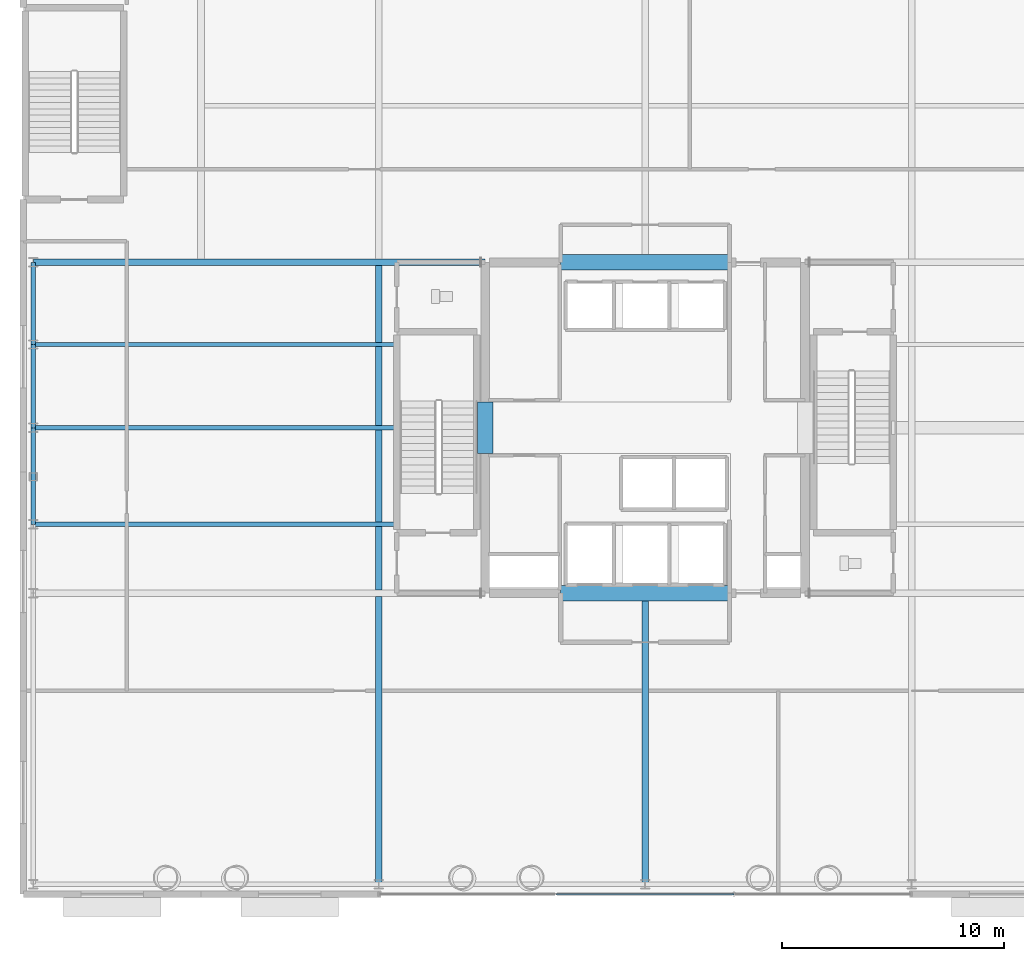
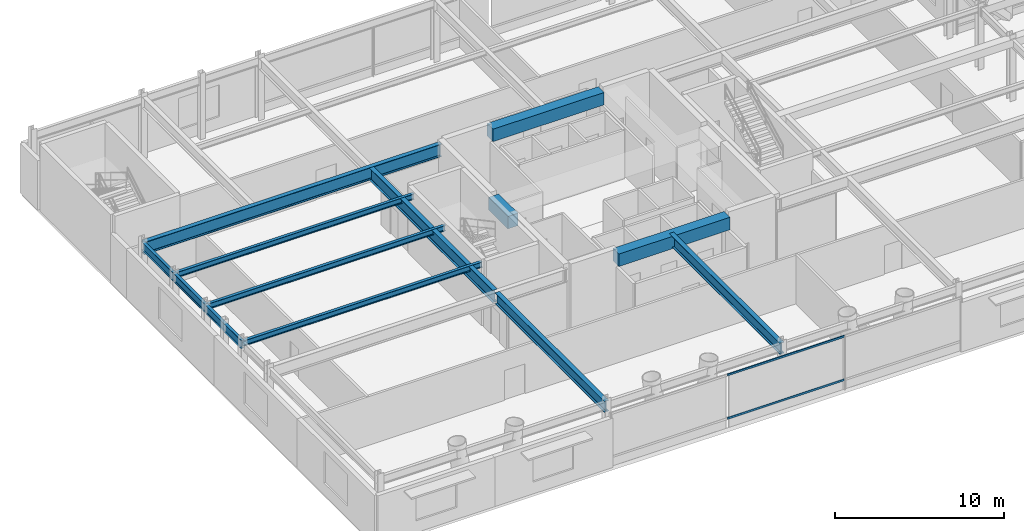
# One storey, part 7 of 26: 13 beams, 2 members, 1 element without a shape of its own.
"""IFC4 building model written with IfcOpenShell, lengths in metres."""

from ifc_helpers import new_model, si_unit, direction, frame, origin, origin_2d, place, context, subcontext, project, spatial, rectangle, hollow_rectangle, i_section, extrude, material, layer, layer_set, material_profile, profile_set, type_object, element, aggregate, save


model = new_model("IFC4")

# Units and contexts
model_context = context("Model", 3, precision=1e-05, world=origin(), true_north=direction((0.0, 1.0)))
body_context = subcontext(model_context, "Body", "Model", "MODEL_VIEW")
ifc_project = project(units=[si_unit("LENGTHUNIT", "METRE"), si_unit("AREAUNIT", "SQUARE_METRE"), si_unit("VOLUMEUNIT", "CUBIC_METRE"), si_unit("PLANEANGLEUNIT", "RADIAN"), si_unit("MASSUNIT", "GRAM", prefix="KILO")], contexts=[model_context])

# Site, building, storey
site_placement = place(None, origin())
site = spatial("IfcSite", under=ifc_project, at=site_placement, CompositionType="ELEMENT")
building_placement = place(site_placement, origin())
building = spatial("IfcBuilding", under=site, at=building_placement, Name="Veldorina Hangang Commons", CompositionType="ELEMENT")
storey_placement = place(building_placement, frame((0.0, 0.0, 5.199951171875)))
storey = spatial("IfcBuildingStorey", under=building, at=storey_placement, Name="L01", CompositionType="ELEMENT", Elevation=5.199951171875)

# Beams
ifc_material_1 = material(Name="Concrete C70/85", Category="concrete")
ifc_material_profile_1 = material_profile(ifc_material_1, rectangle(XDim=0.699951171875, YDim=0.89990234375, at=origin_2d()), Name="RC-CB-700x900")
ifc_profile_set_1 = profile_set([ifc_material_profile_1], Name="Concrete C70/85")
beam_type_1 = type_object("IfcBeamType", Name="BM-CB900", PredefinedType="LINTEL", material=ifc_profile_set_1)
beam_1_placement = place(storey_placement, frame((24.800048828125, 22.85009765625, 4.050048828125), z_axis=(0.0, 1.0, 0.0), x_axis=(-1.0, 0.0, 0.0)))
element("IfcBeam", 1, at=beam_1_placement, inside=storey, type_object=beam_type_1, Name="L01 W core coupling lintel beam", PredefinedType="LINTEL", context=body_context, shape_type="SweptSolid", body=[
    extrude(rectangle(XDim=0.699951171875, YDim=0.89990234375, at=origin_2d()), origin(), (0.0, 0.0, 1.0), 2.2998046875),
])
for number, where, z_axis, x_axis, name in (
    (2, (28.199951171875, 16.550048828125, 4.050048828125), (1.0, 0.0, 0.0), (0.0, 1.0, 0.0), "L01 south core coupling beam"),
    (3, (28.199951171875, 31.449951171875, 4.050048828125), (1.0, 0.0, 0.0), (0.0, 1.0, 0.0), "L01 north core coupling beam"),
):
    element("IfcBeam", number, at=place(storey_placement, frame(where, z_axis=z_axis, x_axis=x_axis)), inside=storey, type_object=beam_type_1, Name=name, PredefinedType="LINTEL", context=body_context, shape_type="SweptSolid", body=[
        extrude(rectangle(XDim=0.699951171875, YDim=0.89990234375, at=origin_2d()), origin(), (0.0, 0.0, 1.0), 7.60009765625),
    ])
ifc_material_2 = material(Name="Steel SM355-TMC", Category="steel")
ifc_material_profile_2 = material_profile(ifc_material_2, i_section(OverallWidth=0.199951171875, OverallDepth=0.39990234375, WebThickness=0.008056640625, FlangeThickness=0.012939453125, FilletRadius=0.012939453125, at=origin_2d()), Name="H-400x200x8x13")
ifc_profile_set_2 = profile_set([ifc_material_profile_2], Name="Steel SM355-TMC")
beam_type_2 = type_object("IfcBeamType", Name="BM-JST400", PredefinedType="JOIST", material=ifc_profile_set_2)
for number, where, z_axis, x_axis, name in (
    (4, (4.449951171875, 19.64990234375, 4.300048828125), (1.0, 0.0, 0.0), (0.0, 1.0, 0.0), "L01 west floor joist 1"),
    (5, (4.449951171875, 24.0, 4.300048828125), (1.0, 0.0, 0.0), (0.0, 1.0, 0.0), "L01 west floor joist 2"),
    (6, (4.449951171875, 27.75, 4.300048828125), (1.0, 0.0, 0.0), (0.0, 1.0, 0.0), "L01 west floor joist 3"),
):
    element("IfcBeam", number, at=place(storey_placement, frame(where, z_axis=z_axis, x_axis=x_axis)), inside=storey, type_object=beam_type_2, Name=name, PredefinedType="JOIST", context=body_context, shape_type="SweptSolid", body=[
        extrude(i_section(OverallWidth=0.199951171875, OverallDepth=0.39990234375, WebThickness=0.008056640625, FlangeThickness=0.012939453125, FilletRadius=0.012939453125, at=origin_2d()), origin(), (0.0, 0.0, 1.0), 16.3701171875),
    ])
ifc_material_3 = material(Name="Steel SM460-TMC", Category="steel")
ifc_material_profile_3 = material_profile(ifc_material_3, i_section(OverallWidth=0.300048828125, OverallDepth=0.800048828125, WebThickness=0.013916015625, FlangeThickness=0.02587890625, FilletRadius=0.02197265625, at=origin_2d()), Name="H-800x300x14x26")
ifc_profile_set_3 = profile_set([ifc_material_profile_3], Name="Steel SM460-TMC")
beam_type_3 = type_object("IfcBeamType", Name="BM-PG800", PredefinedType="BEAM", material=ifc_profile_set_3)
beam_2_placement = place(storey_placement, frame((20.0, 3.449951171875, 4.10009765625), z_axis=(0.0, 1.0, 0.0), x_axis=(-1.0, 0.0, 0.0)))
element("IfcBeam", 7, at=beam_2_placement, inside=storey, type_object=beam_type_3, Name="L01 south primary girder G3", PredefinedType="BEAM", context=body_context, shape_type="SweptSolid", body=[
    extrude(i_section(OverallWidth=0.300048828125, OverallDepth=0.800048828125, WebThickness=0.013916015625, FlangeThickness=0.02587890625, FilletRadius=0.02197265625, at=origin_2d()), origin(), (0.0, 0.0, 1.0), 12.9599609375),
])
beam_3_placement = place(storey_placement, frame((32.0, 3.449951171875, 4.10009765625), z_axis=(0.0, 1.0, 0.0), x_axis=(-1.0, 0.0, 0.0)))
element("IfcBeam", 8, at=beam_3_placement, inside=storey, type_object=beam_type_3, Name="L01 south primary girder G5", PredefinedType="BEAM", context=body_context, shape_type="SweptSolid", body=[
    extrude(i_section(OverallWidth=0.300048828125, OverallDepth=0.800048828125, WebThickness=0.013916015625, FlangeThickness=0.02587890625, FilletRadius=0.02197265625, at=origin_2d()), origin(), (0.0, 0.0, 1.0), 13.10009765625),
])
ifc_material_profile_4 = material_profile(ifc_material_3, i_section(OverallWidth=0.300048828125, OverallDepth=0.89990234375, WebThickness=0.01611328125, FlangeThickness=0.028076171875, FilletRadius=0.02197265625, at=origin_2d()), Name="H-900x300x16x28")
ifc_profile_set_4 = profile_set([ifc_material_profile_4], Name="Steel SM460-TMC")
beam_type_4 = type_object("IfcBeamType", Name="BM-PG900", PredefinedType="BEAM", material=ifc_profile_set_4)
beam_4_placement = place(storey_placement, frame((4.449951171875, 31.449951171875, 4.050048828125), z_axis=(1.0, 0.0, 0.0), x_axis=(0.0, 1.0, 0.0)))
element("IfcBeam", 9, at=beam_4_placement, inside=storey, type_object=beam_type_4, Name="L01 west collector girder GF", PredefinedType="BEAM", context=body_context, shape_type="SweptSolid", body=[
    extrude(i_section(OverallWidth=0.300048828125, OverallDepth=0.89990234375, WebThickness=0.01611328125, FlangeThickness=0.028076171875, FilletRadius=0.02197265625, at=origin_2d()), origin(), (0.0, 0.0, 1.0), 20.35009765625),
])
beam_5_placement = place(storey_placement, frame((20.0, 16.68994140625, 4.050048828125), z_axis=(0.0, 1.0, 0.0), x_axis=(-1.0, 0.0, 0.0)))
element("IfcBeam", 10, at=beam_5_placement, inside=storey, type_object=beam_type_4, Name="L01 mid primary girder G3", PredefinedType="BEAM", context=body_context, shape_type="SweptSolid", body=[
    extrude(i_section(OverallWidth=0.300048828125, OverallDepth=0.89990234375, WebThickness=0.01611328125, FlangeThickness=0.028076171875, FilletRadius=0.02197265625, at=origin_2d()), origin(), (0.0, 0.0, 1.0), 14.6201171875),
])
ifc_material_4 = material(Name="Steel SM420-TMC", Category="steel")
ifc_material_profile_5 = material_profile(ifc_material_4, i_section(OverallWidth=0.199951171875, OverallDepth=0.60009765625, WebThickness=0.010986328125, FlangeThickness=0.01708984375, FilletRadius=0.01806640625, at=origin_2d()), Name="H-600x200x11x17")
ifc_profile_set_5 = profile_set([ifc_material_profile_5], Name="Steel SM420-TMC")
beam_type_5 = type_object("IfcBeamType", Name="BM-SPN600", PredefinedType="SPANDREL", material=ifc_profile_set_5)
beam_6_placement = place(storey_placement, frame((4.449951171875, 19.64990234375, 4.199951171875), z_axis=(0.0, 1.0, 0.0), x_axis=(-1.0, 0.0, 0.0)))
element("IfcBeam", 11, at=beam_6_placement, inside=storey, type_object=beam_type_5, Name="L01 west spandrel beam 3", PredefinedType="SPANDREL", context=body_context, shape_type="SweptSolid", body=[
    extrude(i_section(OverallWidth=0.199951171875, OverallDepth=0.60009765625, WebThickness=0.010986328125, FlangeThickness=0.01708984375, FilletRadius=0.01806640625, at=origin_2d()), origin(), (0.0, 0.0, 1.0), 4.35009765625),
])
beam_7_placement = place(storey_placement, frame((4.449951171875, 24.0, 4.199951171875), z_axis=(0.0, 1.0, 0.0), x_axis=(-1.0, 0.0, 0.0)))
element("IfcBeam", 12, at=beam_7_placement, inside=storey, type_object=beam_type_5, Name="L01 west spandrel beam 4", PredefinedType="SPANDREL", context=body_context, shape_type="SweptSolid", body=[
    extrude(i_section(OverallWidth=0.199951171875, OverallDepth=0.60009765625, WebThickness=0.010986328125, FlangeThickness=0.01708984375, FilletRadius=0.01806640625, at=origin_2d()), origin(), (0.0, 0.0, 1.0), 3.75),
])
beam_8_placement = place(storey_placement, frame((4.449951171875, 27.75, 4.199951171875), z_axis=(0.0, 1.0, 0.0), x_axis=(-1.0, 0.0, 0.0)))
element("IfcBeam", 13, at=beam_8_placement, inside=storey, type_object=beam_type_5, Name="L01 west spandrel beam 5", PredefinedType="SPANDREL", context=body_context, shape_type="SweptSolid", body=[
    extrude(i_section(OverallWidth=0.199951171875, OverallDepth=0.60009765625, WebThickness=0.010986328125, FlangeThickness=0.01708984375, FilletRadius=0.01806640625, at=origin_2d()), origin(), (0.0, 0.0, 1.0), 3.699951171875),
])

# Curtain wall, members
ifc_material_5 = material(Name="Glass Low-E Triple IGU", Category="glass")
ifc_layer = layer(ifc_material_5, 0.179931640625)
ifc_layer_set = layer_set([ifc_layer], Name="Glass Low-E Triple IGU")
curtain_wall_type = type_object("IfcCurtainWallType", Name="CW-SYS-POD", PredefinedType="NOTDEFINED", material=ifc_layer_set)
curtain_wall_placement = place(storey_placement, origin())
curtain_wall = element("IfcCurtainWall", 14, at=curtain_wall_placement, inside=storey, type_object=curtain_wall_type, Name="L01 unitised curtain wall CW-L01-S-CTR", PredefinedType="NOTDEFINED")
ifc_material_6 = material(Name="Aluminium Anodized AA6063-T6", Category="aluminium")
ifc_material_profile_6 = material_profile(ifc_material_6, hollow_rectangle(XDim=0.06005859375, YDim=0.139892578125, WallThickness=0.00341796875, at=origin_2d()), Name="ALU-RHS-140x60x3.5")
ifc_profile_set_6 = profile_set([ifc_material_profile_6], Name="Aluminium Anodized AA6063-T6")
member_type = type_object("IfcMemberType", Name="CW-TRN-140", PredefinedType="USERDEFINED", material=ifc_profile_set_6)
member_1_placement = place(storey_placement, frame((28.0, 3.0, 0.699951171875), z_axis=(1.0, 0.0, 0.0), x_axis=(0.0, 1.0, 0.0)))
member_1 = element("IfcMember", 15, at=member_1_placement, type_object=member_type, Name="CW-L01-S-CTR facet 2 transom 1", ObjectType="TRANSOM", PredefinedType="USERDEFINED", context=body_context, shape_type="SweptSolid", body=[
    extrude(hollow_rectangle(XDim=0.06005859375, YDim=0.139892578125, WallThickness=0.00341796875, at=origin_2d()), origin(), (0.0, 0.0, 1.0), 8.0),
])
member_2_placement = place(storey_placement, frame((28.0, 3.0, 3.840087890625), z_axis=(1.0, 0.0, 0.0), x_axis=(0.0, 1.0, 0.0)))
member_2 = element("IfcMember", 16, at=member_2_placement, type_object=member_type, Name="CW-L01-S-CTR facet 2 transom 2", ObjectType="TRANSOM", PredefinedType="USERDEFINED", context=body_context, shape_type="SweptSolid", body=[
    extrude(hollow_rectangle(XDim=0.06005859375, YDim=0.139892578125, WallThickness=0.00341796875, at=origin_2d()), origin(), (0.0, 0.0, 1.0), 8.0),
])
aggregate(curtain_wall, [member_1, member_2])

save(model, "model.ifc")
